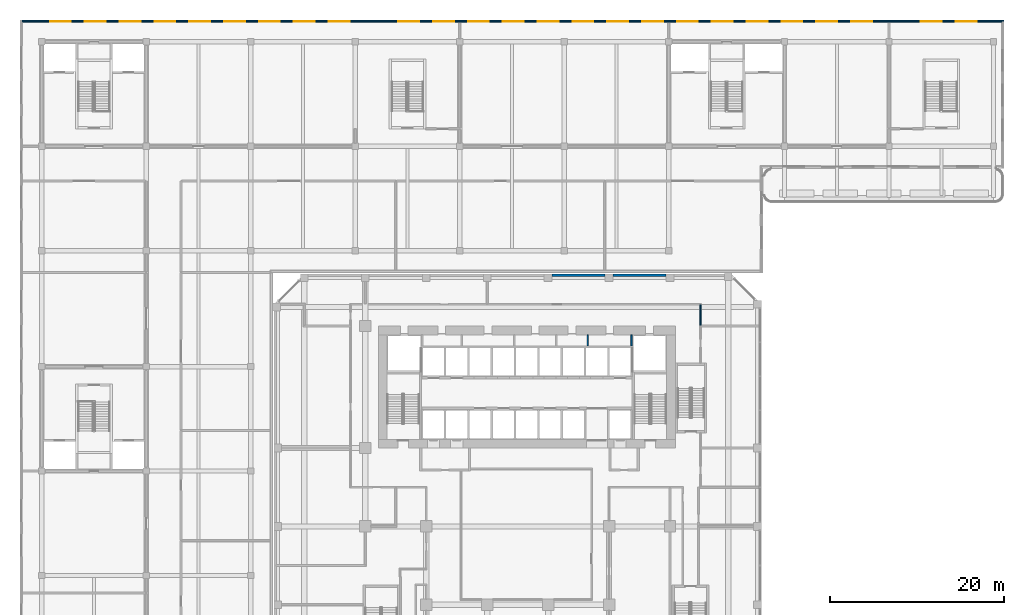
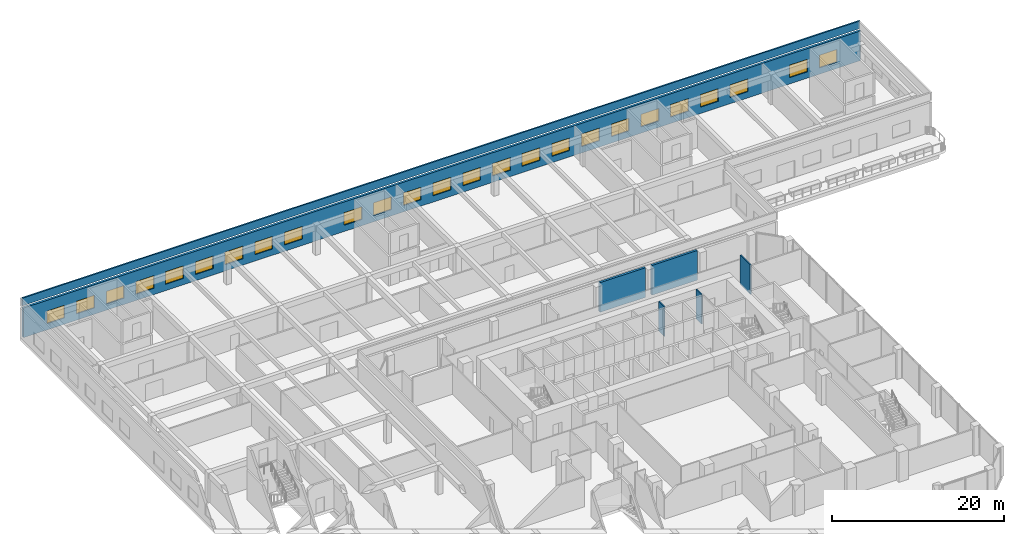
# One storey, part 23 of 35: 25 windows, 7 walls, 25 openings.
"""IFC4 building model written with IfcOpenShell, lengths in metres."""

from ifc_helpers import new_model, si_unit, direction, frame, frame_2d, origin, place, context, subcontext, project, spatial, rectangle, extrude, source, transform, mapped, material, layer, layer_set, type_object, element, fill, save


model = new_model("IFC4")

# Units and contexts
model_context = context("Model", 3, precision=1e-05, world=origin(), true_north=direction((0.0, 1.0)))
body_context = subcontext(model_context, "Body", "Model", "MODEL_VIEW")
ifc_project = project(units=[si_unit("LENGTHUNIT", "METRE"), si_unit("AREAUNIT", "SQUARE_METRE"), si_unit("VOLUMEUNIT", "CUBIC_METRE"), si_unit("PLANEANGLEUNIT", "RADIAN"), si_unit("MASSUNIT", "GRAM", prefix="KILO")], contexts=[model_context])

# Site, building, storey
site_placement = place(None, origin())
site = spatial("IfcSite", under=ifc_project, at=site_placement, CompositionType="ELEMENT")
building_placement = place(site_placement, origin())
building = spatial("IfcBuilding", under=site, at=building_placement, Name="Kilnfold Tower and Market Hall", CompositionType="ELEMENT")
storey_placement = place(building_placement, frame((0.0, 0.0, 22.5)))
storey = spatial("IfcBuildingStorey", under=building, at=storey_placement, Name="L04", CompositionType="ELEMENT", Elevation=22.5)

# Walls
ifc_material_1 = material(Name="Gypsum board on steel studs", Category="steel")
ifc_layer_1 = layer(ifc_material_1, 0.14990234375)
ifc_layer_set_1 = layer_set([ifc_layer_1], Name="Gypsum board on steel studs")
wall_type_1 = type_object("IfcWallType", Name="WALL CORRIDOR 150", PredefinedType="PARTITIONING", material=ifc_layer_set_1)
wall_1_placement = place(storey_placement, frame((21.0, 22.090087890625, 0.0), z_axis=(0.0, 0.0, 1.0), x_axis=(0.0, 1.0, 0.0)))
element("IfcWall", 1, at=wall_1_placement, inside=storey, type_object=wall_type_1, Name="Partition LY05.28", PredefinedType="PARTITIONING", context=body_context, shape_type="SweptSolid", body=[
    extrude(rectangle(XDim=2.3349609375, YDim=0.14990234375, at=frame_2d((1.16748046875, 0.0))), origin(), (0.0, 0.0, 1.0), 4.219970703125),
])
ifc_material_2 = material(Name="Precast concrete C50/60", Category="concrete")
ifc_layer_2 = layer(ifc_material_2, 0.300048828125)
ifc_layer_set_2 = layer_set([ifc_layer_2], Name="Precast concrete C50/60")
wall_type_2 = type_object("IfcWallType", Name="PRECAST WALL 300", PredefinedType="SOLIDWALL", material=ifc_layer_set_2)
shared_shape_1 = source(origin(), body_context, "Body", "SweptSolid", [
    extrude(rectangle(XDim=6.10009765625, YDim=0.300048828125, at=frame_2d((3.050048828125, 0.0))), origin(), (0.0, 0.0, 1.0), 4.219970703125),
])
for number, where, z_axis, x_axis, name in (
    (2, (17.050048828125, 27.85009765625, 0.0), (0.0, 0.0, 1.0), (-1.0, 0.0, 0.0), "Party wall L04 N"),
    (3, (10.050048828125, 27.85009765625, 0.0), (0.0, 0.0, 1.0), (-1.0, 0.0, 0.0), "Party wall L04 N"),
):
    element("IfcWall", number, at=place(storey_placement, frame(where, z_axis=z_axis, x_axis=x_axis)), inside=storey, type_object=wall_type_2, Name=name, PredefinedType="SOLIDWALL", context=body_context, shape_type="MappedRepresentation", body=[
        mapped(shared_shape_1, transform((0.0, 0.0, 0.0))),
    ])

# Wall, openings, windows
ifc_material_3 = material(Name="Concrete blockwork", Category="masonry")
ifc_layer_3 = layer(ifc_material_3, 0.300048828125)
ifc_layer_set_3 = layer_set([ifc_layer_3], Name="Concrete blockwork")
wall_type_3 = type_object("IfcWallType", Name="HALL EXTERNAL WALL 300 EI 60", PredefinedType="SOLIDWALL", material=ifc_layer_set_3)
shared_shape_2 = source(origin(), body_context, "Body", "SweptSolid", [
    extrude(rectangle(XDim=112.7001953125, YDim=0.300048828125, at=frame_2d((56.35009765625, 0.0))), origin(), (0.0, 0.0, 1.0), 4.219970703125),
])
wall_2_placement = place(storey_placement, frame((-56.85009765625, 57.0, 0.0), z_axis=(0.0, 0.0, 1.0), x_axis=(1.0, 0.0, 0.0)))
wall_2 = element("IfcWall", 4, at=wall_2_placement, inside=storey, type_object=wall_type_3, Name="External wall MEW-L04.2", PredefinedType="SOLIDWALL", context=body_context, shape_type="MappedRepresentation", body=[
    mapped(shared_shape_2, transform((0.0, 0.0, 0.0))),
])
opening_1_placement = place(wall_2_placement, frame((3.14990234375, 0.0, 0.89990234375)))
opening_1 = element("IfcOpeningElement", 5, at=opening_1_placement, cuts=wall_2, Name="Opening MEN3", PredefinedType="OPENING", context=body_context, shape_type="SweptSolid", body=[
    extrude(rectangle(XDim=2.39990234375, YDim=1.800048828125, at=frame_2d((1.199951171875, 0.89990234375))), frame((0.0, 0.16015625, 0.0), z_axis=(0.0, -1.0, 0.0), x_axis=(1.0, 0.0, 0.0)), (0.0, 0.0, 1.0), 0.320068359375),
])
opening_2_placement = place(wall_2_placement, frame((7.14990234375, 0.0, 0.89990234375)))
opening_2 = element("IfcOpeningElement", 6, at=opening_2_placement, cuts=wall_2, Name="Opening MEN3", PredefinedType="OPENING", context=body_context, shape_type="SweptSolid", body=[
    extrude(rectangle(XDim=2.39990234375, YDim=1.800048828125, at=frame_2d((1.199951171875, 0.89990234375))), frame((0.0, 0.16015625, 0.0), z_axis=(0.0, -1.0, 0.0), x_axis=(1.0, 0.0, 0.0)), (0.0, 0.0, 1.0), 0.320068359375),
])
opening_3_placement = place(wall_2_placement, frame((11.14990234375, 0.0, 0.89990234375)))
opening_3 = element("IfcOpeningElement", 7, at=opening_3_placement, cuts=wall_2, Name="Opening MEN3", PredefinedType="OPENING", context=body_context, shape_type="SweptSolid", body=[
    extrude(rectangle(XDim=2.39990234375, YDim=1.800048828125, at=frame_2d((1.199951171875, 0.89990234375))), frame((0.0, 0.16015625, 0.0), z_axis=(0.0, -1.0, 0.0), x_axis=(1.0, 0.0, 0.0)), (0.0, 0.0, 1.0), 0.320068359375),
])
opening_4_placement = place(wall_2_placement, frame((15.14990234375, 0.0, 0.89990234375)))
opening_4 = element("IfcOpeningElement", 8, at=opening_4_placement, cuts=wall_2, Name="Opening MEN3", PredefinedType="OPENING", context=body_context, shape_type="SweptSolid", body=[
    extrude(rectangle(XDim=2.39990234375, YDim=1.800048828125, at=frame_2d((1.199951171875, 0.89990234375))), frame((0.0, 0.16015625, 0.0), z_axis=(0.0, -1.0, 0.0), x_axis=(1.0, 0.0, 0.0)), (0.0, 0.0, 1.0), 0.320068359375),
])
opening_5_placement = place(wall_2_placement, frame((19.14990234375, 0.0, 0.89990234375)))
opening_5 = element("IfcOpeningElement", 9, at=opening_5_placement, cuts=wall_2, Name="Opening MEN3", PredefinedType="OPENING", context=body_context, shape_type="SweptSolid", body=[
    extrude(rectangle(XDim=2.39990234375, YDim=1.800048828125, at=frame_2d((1.199951171875, 0.89990234375))), frame((0.0, 0.16015625, 0.0), z_axis=(0.0, -1.0, 0.0), x_axis=(1.0, 0.0, 0.0)), (0.0, 0.0, 1.0), 0.320068359375),
])
opening_6_placement = place(wall_2_placement, frame((23.14990234375, 0.0, 0.89990234375)))
opening_6 = element("IfcOpeningElement", 10, at=opening_6_placement, cuts=wall_2, Name="Opening MEN3", PredefinedType="OPENING", context=body_context, shape_type="SweptSolid", body=[
    extrude(rectangle(XDim=2.39990234375, YDim=1.800048828125, at=frame_2d((1.199951171875, 0.89990234375))), frame((0.0, 0.16015625, 0.0), z_axis=(0.0, -1.0, 0.0), x_axis=(1.0, 0.0, 0.0)), (0.0, 0.0, 1.0), 0.320068359375),
])
opening_7_placement = place(wall_2_placement, frame((27.14990234375, 0.0, 0.89990234375)))
opening_7 = element("IfcOpeningElement", 11, at=opening_7_placement, cuts=wall_2, Name="Opening MEN3", PredefinedType="OPENING", context=body_context, shape_type="SweptSolid", body=[
    extrude(rectangle(XDim=2.39990234375, YDim=1.800048828125, at=frame_2d((1.199951171875, 0.89990234375))), frame((0.0, 0.16015625, 0.0), z_axis=(0.0, -1.0, 0.0), x_axis=(1.0, 0.0, 0.0)), (0.0, 0.0, 1.0), 0.320068359375),
])
opening_8_placement = place(wall_2_placement, frame((31.14990234375, 0.0, 0.89990234375)))
opening_8 = element("IfcOpeningElement", 12, at=opening_8_placement, cuts=wall_2, Name="Opening MEN3", PredefinedType="OPENING", context=body_context, shape_type="SweptSolid", body=[
    extrude(rectangle(XDim=2.39990234375, YDim=1.800048828125, at=frame_2d((1.199951171875, 0.89990234375))), frame((0.0, 0.16015625, 0.0), z_axis=(0.0, -1.0, 0.0), x_axis=(1.0, 0.0, 0.0)), (0.0, 0.0, 1.0), 0.320068359375),
])
opening_9_placement = place(wall_2_placement, frame((35.14990234375, 0.0, 0.89990234375)))
opening_9 = element("IfcOpeningElement", 13, at=opening_9_placement, cuts=wall_2, Name="Opening MEN3", PredefinedType="OPENING", context=body_context, shape_type="SweptSolid", body=[
    extrude(rectangle(XDim=2.39990234375, YDim=1.800048828125, at=frame_2d((1.199951171875, 0.89990234375))), frame((0.0, 0.16015625, 0.0), z_axis=(0.0, -1.0, 0.0), x_axis=(1.0, 0.0, 0.0)), (0.0, 0.0, 1.0), 0.320068359375),
])
opening_10_placement = place(wall_2_placement, frame((43.14990234375, 0.0, 0.89990234375)))
opening_10 = element("IfcOpeningElement", 14, at=opening_10_placement, cuts=wall_2, Name="Opening MEN3", PredefinedType="OPENING", context=body_context, shape_type="SweptSolid", body=[
    extrude(rectangle(XDim=2.39990234375, YDim=1.800048828125, at=frame_2d((1.199951171875, 0.89990234375))), frame((0.0, 0.16015625, 0.0), z_axis=(0.0, -1.0, 0.0), x_axis=(1.0, 0.0, 0.0)), (0.0, 0.0, 1.0), 0.320068359375),
])
opening_11_placement = place(wall_2_placement, frame((47.14990234375, 0.0, 0.89990234375)))
opening_11 = element("IfcOpeningElement", 15, at=opening_11_placement, cuts=wall_2, Name="Opening MEN3", PredefinedType="OPENING", context=body_context, shape_type="SweptSolid", body=[
    extrude(rectangle(XDim=2.39990234375, YDim=1.800048828125, at=frame_2d((1.199951171875, 0.89990234375))), frame((0.0, 0.16015625, 0.0), z_axis=(0.0, -1.0, 0.0), x_axis=(1.0, 0.0, 0.0)), (0.0, 0.0, 1.0), 0.320068359375),
])
opening_12_placement = place(wall_2_placement, frame((51.14990234375, 0.0, 0.89990234375)))
opening_12 = element("IfcOpeningElement", 16, at=opening_12_placement, cuts=wall_2, Name="Opening MEN3", PredefinedType="OPENING", context=body_context, shape_type="SweptSolid", body=[
    extrude(rectangle(XDim=2.39990234375, YDim=1.800048828125, at=frame_2d((1.199951171875, 0.89990234375))), frame((0.0, 0.16015625, 0.0), z_axis=(0.0, -1.0, 0.0), x_axis=(1.0, 0.0, 0.0)), (0.0, 0.0, 1.0), 0.320068359375),
])
opening_13_placement = place(wall_2_placement, frame((55.14990234375, 0.0, 0.89990234375)))
opening_13 = element("IfcOpeningElement", 17, at=opening_13_placement, cuts=wall_2, Name="Opening MEN3", PredefinedType="OPENING", context=body_context, shape_type="SweptSolid", body=[
    extrude(rectangle(XDim=2.39990234375, YDim=1.800048828125, at=frame_2d((1.199951171875, 0.89990234375))), frame((0.0, 0.16015625, 0.0), z_axis=(0.0, -1.0, 0.0), x_axis=(1.0, 0.0, 0.0)), (0.0, 0.0, 1.0), 0.320068359375),
])
opening_14_placement = place(wall_2_placement, frame((59.14990234375, 0.0, 0.89990234375)))
opening_14 = element("IfcOpeningElement", 18, at=opening_14_placement, cuts=wall_2, Name="Opening MEN3", PredefinedType="OPENING", context=body_context, shape_type="SweptSolid", body=[
    extrude(rectangle(XDim=2.39990234375, YDim=1.800048828125, at=frame_2d((1.199951171875, 0.89990234375))), frame((0.0, 0.16015625, 0.0), z_axis=(0.0, -1.0, 0.0), x_axis=(1.0, 0.0, 0.0)), (0.0, 0.0, 1.0), 0.320068359375),
])
opening_15_placement = place(wall_2_placement, frame((63.14990234375, 0.0, 0.89990234375)))
opening_15 = element("IfcOpeningElement", 19, at=opening_15_placement, cuts=wall_2, Name="Opening MEN3", PredefinedType="OPENING", context=body_context, shape_type="SweptSolid", body=[
    extrude(rectangle(XDim=2.39990234375, YDim=1.800048828125, at=frame_2d((1.199951171875, 0.89990234375))), frame((0.0, 0.16015625, 0.0), z_axis=(0.0, -1.0, 0.0), x_axis=(1.0, 0.0, 0.0)), (0.0, 0.0, 1.0), 0.320068359375),
])
opening_16_placement = place(wall_2_placement, frame((67.14990234375, 0.0, 0.89990234375)))
opening_16 = element("IfcOpeningElement", 20, at=opening_16_placement, cuts=wall_2, Name="Opening MEN3", PredefinedType="OPENING", context=body_context, shape_type="SweptSolid", body=[
    extrude(rectangle(XDim=2.39990234375, YDim=1.800048828125, at=frame_2d((1.199951171875, 0.89990234375))), frame((0.0, 0.16015625, 0.0), z_axis=(0.0, -1.0, 0.0), x_axis=(1.0, 0.0, 0.0)), (0.0, 0.0, 1.0), 0.320068359375),
])
opening_17_placement = place(wall_2_placement, frame((71.14990234375, 0.0, 0.89990234375)))
opening_17 = element("IfcOpeningElement", 21, at=opening_17_placement, cuts=wall_2, Name="Opening MEN3", PredefinedType="OPENING", context=body_context, shape_type="SweptSolid", body=[
    extrude(rectangle(XDim=2.39990234375, YDim=1.800048828125, at=frame_2d((1.199951171875, 0.89990234375))), frame((0.0, 0.16015625, 0.0), z_axis=(0.0, -1.0, 0.0), x_axis=(1.0, 0.0, 0.0)), (0.0, 0.0, 1.0), 0.320068359375),
])
opening_18_placement = place(wall_2_placement, frame((75.14990234375, 0.0, 0.89990234375)))
opening_18 = element("IfcOpeningElement", 22, at=opening_18_placement, cuts=wall_2, Name="Opening MEN3", PredefinedType="OPENING", context=body_context, shape_type="SweptSolid", body=[
    extrude(rectangle(XDim=2.39990234375, YDim=1.800048828125, at=frame_2d((1.199951171875, 0.89990234375))), frame((0.0, 0.16015625, 0.0), z_axis=(0.0, -1.0, 0.0), x_axis=(1.0, 0.0, 0.0)), (0.0, 0.0, 1.0), 0.320068359375),
])
opening_19_placement = place(wall_2_placement, frame((79.14990234375, 0.0, 0.89990234375)))
opening_19 = element("IfcOpeningElement", 23, at=opening_19_placement, cuts=wall_2, Name="Opening MEN3", PredefinedType="OPENING", context=body_context, shape_type="SweptSolid", body=[
    extrude(rectangle(XDim=2.39990234375, YDim=1.800048828125, at=frame_2d((1.199951171875, 0.89990234375))), frame((0.0, 0.16015625, 0.0), z_axis=(0.0, -1.0, 0.0), x_axis=(1.0, 0.0, 0.0)), (0.0, 0.0, 1.0), 0.320068359375),
])
opening_20_placement = place(wall_2_placement, frame((83.14990234375, 0.0, 0.89990234375)))
opening_20 = element("IfcOpeningElement", 24, at=opening_20_placement, cuts=wall_2, Name="Opening MEN3", PredefinedType="OPENING", context=body_context, shape_type="SweptSolid", body=[
    extrude(rectangle(XDim=2.39990234375, YDim=1.800048828125, at=frame_2d((1.199951171875, 0.89990234375))), frame((0.0, 0.16015625, 0.0), z_axis=(0.0, -1.0, 0.0), x_axis=(1.0, 0.0, 0.0)), (0.0, 0.0, 1.0), 0.320068359375),
])
opening_21_placement = place(wall_2_placement, frame((87.14990234375, 0.0, 0.89990234375)))
opening_21 = element("IfcOpeningElement", 25, at=opening_21_placement, cuts=wall_2, Name="Opening MEN3", PredefinedType="OPENING", context=body_context, shape_type="SweptSolid", body=[
    extrude(rectangle(XDim=2.39990234375, YDim=1.800048828125, at=frame_2d((1.199951171875, 0.89990234375))), frame((0.0, 0.16015625, 0.0), z_axis=(0.0, -1.0, 0.0), x_axis=(1.0, 0.0, 0.0)), (0.0, 0.0, 1.0), 0.320068359375),
])
opening_22_placement = place(wall_2_placement, frame((91.14990234375, 0.0, 0.89990234375)))
opening_22 = element("IfcOpeningElement", 26, at=opening_22_placement, cuts=wall_2, Name="Opening MEN3", PredefinedType="OPENING", context=body_context, shape_type="SweptSolid", body=[
    extrude(rectangle(XDim=2.39990234375, YDim=1.800048828125, at=frame_2d((1.199951171875, 0.89990234375))), frame((0.0, 0.16015625, 0.0), z_axis=(0.0, -1.0, 0.0), x_axis=(1.0, 0.0, 0.0)), (0.0, 0.0, 1.0), 0.320068359375),
])
opening_23_placement = place(wall_2_placement, frame((95.14990234375, 0.0, 0.89990234375)))
opening_23 = element("IfcOpeningElement", 27, at=opening_23_placement, cuts=wall_2, Name="Opening MEN3", PredefinedType="OPENING", context=body_context, shape_type="SweptSolid", body=[
    extrude(rectangle(XDim=2.39990234375, YDim=1.800048828125, at=frame_2d((1.199951171875, 0.89990234375))), frame((0.0, 0.16015625, 0.0), z_axis=(0.0, -1.0, 0.0), x_axis=(1.0, 0.0, 0.0)), (0.0, 0.0, 1.0), 0.320068359375),
])
opening_24_placement = place(wall_2_placement, frame((103.14990234375, 0.0, 0.89990234375)))
opening_24 = element("IfcOpeningElement", 28, at=opening_24_placement, cuts=wall_2, Name="Opening MEN3", PredefinedType="OPENING", context=body_context, shape_type="SweptSolid", body=[
    extrude(rectangle(XDim=2.39990234375, YDim=1.800048828125, at=frame_2d((1.199951171875, 0.89990234375))), frame((0.0, 0.16015625, 0.0), z_axis=(0.0, -1.0, 0.0), x_axis=(1.0, 0.0, 0.0)), (0.0, 0.0, 1.0), 0.320068359375),
])
opening_25_placement = place(wall_2_placement, frame((107.14990234375, 0.0, 0.89990234375)))
opening_25 = element("IfcOpeningElement", 29, at=opening_25_placement, cuts=wall_2, Name="Opening MEN3", PredefinedType="OPENING", context=body_context, shape_type="SweptSolid", body=[
    extrude(rectangle(XDim=2.39990234375, YDim=1.800048828125, at=frame_2d((1.199951171875, 0.89990234375))), frame((0.0, 0.16015625, 0.0), z_axis=(0.0, -1.0, 0.0), x_axis=(1.0, 0.0, 0.0)), (0.0, 0.0, 1.0), 0.320068359375),
])
ifc_material_4 = material(Name="Aluminium glazing", Category="aluminium")
window_type = type_object("IfcWindowType", Name="HALL WINDOW 2400X1800", PartitioningType="SINGLE_PANEL", PredefinedType="WINDOW", material=ifc_material_4)
window_1_placement = place(opening_1_placement, origin())
window_1 = element("IfcWindow", 30, at=window_1_placement, inside=storey, type_object=window_type, Name="Window upper", OverallHeight=1.800048828125, OverallWidth=2.39990234375, PartitioningType="SINGLE_PANEL", PredefinedType="WINDOW", context=body_context, shape_type="SweptSolid", body=[
    extrude(rectangle(XDim=2.39990234375, YDim=1.800048828125, at=frame_2d((1.199951171875, 0.89990234375))), frame((0.0, 0.030029296875, 0.0), z_axis=(0.0, -1.0, 0.0), x_axis=(1.0, 0.0, 0.0)), (0.0, 0.0, 1.0), 0.06005859375),
])
fill(opening_1, window_1)
window_2_placement = place(opening_2_placement, origin())
window_2 = element("IfcWindow", 31, at=window_2_placement, inside=storey, type_object=window_type, Name="Window upper", OverallHeight=1.800048828125, OverallWidth=2.39990234375, PartitioningType="SINGLE_PANEL", PredefinedType="WINDOW", context=body_context, shape_type="SweptSolid", body=[
    extrude(rectangle(XDim=2.39990234375, YDim=1.800048828125, at=frame_2d((1.199951171875, 0.89990234375))), frame((0.0, 0.030029296875, 0.0), z_axis=(0.0, -1.0, 0.0), x_axis=(1.0, 0.0, 0.0)), (0.0, 0.0, 1.0), 0.06005859375),
])
fill(opening_2, window_2)
window_3_placement = place(opening_3_placement, origin())
window_3 = element("IfcWindow", 32, at=window_3_placement, inside=storey, type_object=window_type, Name="Window upper", OverallHeight=1.800048828125, OverallWidth=2.39990234375, PartitioningType="SINGLE_PANEL", PredefinedType="WINDOW", context=body_context, shape_type="SweptSolid", body=[
    extrude(rectangle(XDim=2.39990234375, YDim=1.800048828125, at=frame_2d((1.199951171875, 0.89990234375))), frame((0.0, 0.030029296875, 0.0), z_axis=(0.0, -1.0, 0.0), x_axis=(1.0, 0.0, 0.0)), (0.0, 0.0, 1.0), 0.06005859375),
])
fill(opening_3, window_3)
window_4_placement = place(opening_4_placement, origin())
window_4 = element("IfcWindow", 33, at=window_4_placement, inside=storey, type_object=window_type, Name="Window upper", OverallHeight=1.800048828125, OverallWidth=2.39990234375, PartitioningType="SINGLE_PANEL", PredefinedType="WINDOW", context=body_context, shape_type="SweptSolid", body=[
    extrude(rectangle(XDim=2.39990234375, YDim=1.800048828125, at=frame_2d((1.199951171875, 0.89990234375))), frame((0.0, 0.030029296875, 0.0), z_axis=(0.0, -1.0, 0.0), x_axis=(1.0, 0.0, 0.0)), (0.0, 0.0, 1.0), 0.06005859375),
])
fill(opening_4, window_4)
window_5_placement = place(opening_5_placement, origin())
window_5 = element("IfcWindow", 34, at=window_5_placement, inside=storey, type_object=window_type, Name="Window upper", OverallHeight=1.800048828125, OverallWidth=2.39990234375, PartitioningType="SINGLE_PANEL", PredefinedType="WINDOW", context=body_context, shape_type="SweptSolid", body=[
    extrude(rectangle(XDim=2.39990234375, YDim=1.800048828125, at=frame_2d((1.199951171875, 0.89990234375))), frame((0.0, 0.030029296875, 0.0), z_axis=(0.0, -1.0, 0.0), x_axis=(1.0, 0.0, 0.0)), (0.0, 0.0, 1.0), 0.06005859375),
])
fill(opening_5, window_5)
window_6_placement = place(opening_6_placement, origin())
window_6 = element("IfcWindow", 35, at=window_6_placement, inside=storey, type_object=window_type, Name="Window upper", OverallHeight=1.800048828125, OverallWidth=2.39990234375, PartitioningType="SINGLE_PANEL", PredefinedType="WINDOW", context=body_context, shape_type="SweptSolid", body=[
    extrude(rectangle(XDim=2.39990234375, YDim=1.800048828125, at=frame_2d((1.199951171875, 0.89990234375))), frame((0.0, 0.030029296875, 0.0), z_axis=(0.0, -1.0, 0.0), x_axis=(1.0, 0.0, 0.0)), (0.0, 0.0, 1.0), 0.06005859375),
])
fill(opening_6, window_6)
window_7_placement = place(opening_7_placement, origin())
window_7 = element("IfcWindow", 36, at=window_7_placement, inside=storey, type_object=window_type, Name="Window upper", OverallHeight=1.800048828125, OverallWidth=2.39990234375, PartitioningType="SINGLE_PANEL", PredefinedType="WINDOW", context=body_context, shape_type="SweptSolid", body=[
    extrude(rectangle(XDim=2.39990234375, YDim=1.800048828125, at=frame_2d((1.199951171875, 0.89990234375))), frame((0.0, 0.030029296875, 0.0), z_axis=(0.0, -1.0, 0.0), x_axis=(1.0, 0.0, 0.0)), (0.0, 0.0, 1.0), 0.06005859375),
])
fill(opening_7, window_7)
window_8_placement = place(opening_8_placement, origin())
window_8 = element("IfcWindow", 37, at=window_8_placement, inside=storey, type_object=window_type, Name="Window upper", OverallHeight=1.800048828125, OverallWidth=2.39990234375, PartitioningType="SINGLE_PANEL", PredefinedType="WINDOW", context=body_context, shape_type="SweptSolid", body=[
    extrude(rectangle(XDim=2.39990234375, YDim=1.800048828125, at=frame_2d((1.199951171875, 0.89990234375))), frame((0.0, 0.030029296875, 0.0), z_axis=(0.0, -1.0, 0.0), x_axis=(1.0, 0.0, 0.0)), (0.0, 0.0, 1.0), 0.06005859375),
])
fill(opening_8, window_8)
window_9_placement = place(opening_9_placement, origin())
window_9 = element("IfcWindow", 38, at=window_9_placement, inside=storey, type_object=window_type, Name="Window upper", OverallHeight=1.800048828125, OverallWidth=2.39990234375, PartitioningType="SINGLE_PANEL", PredefinedType="WINDOW", context=body_context, shape_type="SweptSolid", body=[
    extrude(rectangle(XDim=2.39990234375, YDim=1.800048828125, at=frame_2d((1.199951171875, 0.89990234375))), frame((0.0, 0.030029296875, 0.0), z_axis=(0.0, -1.0, 0.0), x_axis=(1.0, 0.0, 0.0)), (0.0, 0.0, 1.0), 0.06005859375),
])
fill(opening_9, window_9)
window_10_placement = place(opening_10_placement, origin())
window_10 = element("IfcWindow", 39, at=window_10_placement, inside=storey, type_object=window_type, Name="Window upper", OverallHeight=1.800048828125, OverallWidth=2.39990234375, PartitioningType="SINGLE_PANEL", PredefinedType="WINDOW", context=body_context, shape_type="SweptSolid", body=[
    extrude(rectangle(XDim=2.39990234375, YDim=1.800048828125, at=frame_2d((1.199951171875, 0.89990234375))), frame((0.0, 0.030029296875, 0.0), z_axis=(0.0, -1.0, 0.0), x_axis=(1.0, 0.0, 0.0)), (0.0, 0.0, 1.0), 0.06005859375),
])
fill(opening_10, window_10)
window_11_placement = place(opening_11_placement, origin())
window_11 = element("IfcWindow", 40, at=window_11_placement, inside=storey, type_object=window_type, Name="Window upper", OverallHeight=1.800048828125, OverallWidth=2.39990234375, PartitioningType="SINGLE_PANEL", PredefinedType="WINDOW", context=body_context, shape_type="SweptSolid", body=[
    extrude(rectangle(XDim=2.39990234375, YDim=1.800048828125, at=frame_2d((1.199951171875, 0.89990234375))), frame((0.0, 0.030029296875, 0.0), z_axis=(0.0, -1.0, 0.0), x_axis=(1.0, 0.0, 0.0)), (0.0, 0.0, 1.0), 0.06005859375),
])
fill(opening_11, window_11)
window_12_placement = place(opening_12_placement, origin())
window_12 = element("IfcWindow", 41, at=window_12_placement, inside=storey, type_object=window_type, Name="Window upper", OverallHeight=1.800048828125, OverallWidth=2.39990234375, PartitioningType="SINGLE_PANEL", PredefinedType="WINDOW", context=body_context, shape_type="SweptSolid", body=[
    extrude(rectangle(XDim=2.39990234375, YDim=1.800048828125, at=frame_2d((1.199951171875, 0.89990234375))), frame((0.0, 0.030029296875, 0.0), z_axis=(0.0, -1.0, 0.0), x_axis=(1.0, 0.0, 0.0)), (0.0, 0.0, 1.0), 0.06005859375),
])
fill(opening_12, window_12)
window_13_placement = place(opening_13_placement, origin())
window_13 = element("IfcWindow", 42, at=window_13_placement, inside=storey, type_object=window_type, Name="Window upper", OverallHeight=1.800048828125, OverallWidth=2.39990234375, PartitioningType="SINGLE_PANEL", PredefinedType="WINDOW", context=body_context, shape_type="SweptSolid", body=[
    extrude(rectangle(XDim=2.39990234375, YDim=1.800048828125, at=frame_2d((1.199951171875, 0.89990234375))), frame((0.0, 0.030029296875, 0.0), z_axis=(0.0, -1.0, 0.0), x_axis=(1.0, 0.0, 0.0)), (0.0, 0.0, 1.0), 0.06005859375),
])
fill(opening_13, window_13)
window_14_placement = place(opening_14_placement, origin())
window_14 = element("IfcWindow", 43, at=window_14_placement, inside=storey, type_object=window_type, Name="Window upper", OverallHeight=1.800048828125, OverallWidth=2.39990234375, PartitioningType="SINGLE_PANEL", PredefinedType="WINDOW", context=body_context, shape_type="SweptSolid", body=[
    extrude(rectangle(XDim=2.39990234375, YDim=1.800048828125, at=frame_2d((1.199951171875, 0.89990234375))), frame((0.0, 0.030029296875, 0.0), z_axis=(0.0, -1.0, 0.0), x_axis=(1.0, 0.0, 0.0)), (0.0, 0.0, 1.0), 0.06005859375),
])
fill(opening_14, window_14)
window_15_placement = place(opening_15_placement, origin())
window_15 = element("IfcWindow", 44, at=window_15_placement, inside=storey, type_object=window_type, Name="Window upper", OverallHeight=1.800048828125, OverallWidth=2.39990234375, PartitioningType="SINGLE_PANEL", PredefinedType="WINDOW", context=body_context, shape_type="SweptSolid", body=[
    extrude(rectangle(XDim=2.39990234375, YDim=1.800048828125, at=frame_2d((1.199951171875, 0.89990234375))), frame((0.0, 0.030029296875, 0.0), z_axis=(0.0, -1.0, 0.0), x_axis=(1.0, 0.0, 0.0)), (0.0, 0.0, 1.0), 0.06005859375),
])
fill(opening_15, window_15)
window_16_placement = place(opening_16_placement, origin())
window_16 = element("IfcWindow", 45, at=window_16_placement, inside=storey, type_object=window_type, Name="Window upper", OverallHeight=1.800048828125, OverallWidth=2.39990234375, PartitioningType="SINGLE_PANEL", PredefinedType="WINDOW", context=body_context, shape_type="SweptSolid", body=[
    extrude(rectangle(XDim=2.39990234375, YDim=1.800048828125, at=frame_2d((1.199951171875, 0.89990234375))), frame((0.0, 0.030029296875, 0.0), z_axis=(0.0, -1.0, 0.0), x_axis=(1.0, 0.0, 0.0)), (0.0, 0.0, 1.0), 0.06005859375),
])
fill(opening_16, window_16)
window_17_placement = place(opening_17_placement, origin())
window_17 = element("IfcWindow", 46, at=window_17_placement, inside=storey, type_object=window_type, Name="Window upper", OverallHeight=1.800048828125, OverallWidth=2.39990234375, PartitioningType="SINGLE_PANEL", PredefinedType="WINDOW", context=body_context, shape_type="SweptSolid", body=[
    extrude(rectangle(XDim=2.39990234375, YDim=1.800048828125, at=frame_2d((1.199951171875, 0.89990234375))), frame((0.0, 0.030029296875, 0.0), z_axis=(0.0, -1.0, 0.0), x_axis=(1.0, 0.0, 0.0)), (0.0, 0.0, 1.0), 0.06005859375),
])
fill(opening_17, window_17)
window_18_placement = place(opening_18_placement, origin())
window_18 = element("IfcWindow", 47, at=window_18_placement, inside=storey, type_object=window_type, Name="Window upper", OverallHeight=1.800048828125, OverallWidth=2.39990234375, PartitioningType="SINGLE_PANEL", PredefinedType="WINDOW", context=body_context, shape_type="SweptSolid", body=[
    extrude(rectangle(XDim=2.39990234375, YDim=1.800048828125, at=frame_2d((1.199951171875, 0.89990234375))), frame((0.0, 0.030029296875, 0.0), z_axis=(0.0, -1.0, 0.0), x_axis=(1.0, 0.0, 0.0)), (0.0, 0.0, 1.0), 0.06005859375),
])
fill(opening_18, window_18)
window_19_placement = place(opening_19_placement, origin())
window_19 = element("IfcWindow", 48, at=window_19_placement, inside=storey, type_object=window_type, Name="Window upper", OverallHeight=1.800048828125, OverallWidth=2.39990234375, PartitioningType="SINGLE_PANEL", PredefinedType="WINDOW", context=body_context, shape_type="SweptSolid", body=[
    extrude(rectangle(XDim=2.39990234375, YDim=1.800048828125, at=frame_2d((1.199951171875, 0.89990234375))), frame((0.0, 0.030029296875, 0.0), z_axis=(0.0, -1.0, 0.0), x_axis=(1.0, 0.0, 0.0)), (0.0, 0.0, 1.0), 0.06005859375),
])
fill(opening_19, window_19)
window_20_placement = place(opening_20_placement, origin())
window_20 = element("IfcWindow", 49, at=window_20_placement, inside=storey, type_object=window_type, Name="Window upper", OverallHeight=1.800048828125, OverallWidth=2.39990234375, PartitioningType="SINGLE_PANEL", PredefinedType="WINDOW", context=body_context, shape_type="SweptSolid", body=[
    extrude(rectangle(XDim=2.39990234375, YDim=1.800048828125, at=frame_2d((1.199951171875, 0.89990234375))), frame((0.0, 0.030029296875, 0.0), z_axis=(0.0, -1.0, 0.0), x_axis=(1.0, 0.0, 0.0)), (0.0, 0.0, 1.0), 0.06005859375),
])
fill(opening_20, window_20)
window_21_placement = place(opening_21_placement, origin())
window_21 = element("IfcWindow", 50, at=window_21_placement, inside=storey, type_object=window_type, Name="Window upper", OverallHeight=1.800048828125, OverallWidth=2.39990234375, PartitioningType="SINGLE_PANEL", PredefinedType="WINDOW", context=body_context, shape_type="SweptSolid", body=[
    extrude(rectangle(XDim=2.39990234375, YDim=1.800048828125, at=frame_2d((1.199951171875, 0.89990234375))), frame((0.0, 0.030029296875, 0.0), z_axis=(0.0, -1.0, 0.0), x_axis=(1.0, 0.0, 0.0)), (0.0, 0.0, 1.0), 0.06005859375),
])
fill(opening_21, window_21)
window_22_placement = place(opening_22_placement, origin())
window_22 = element("IfcWindow", 51, at=window_22_placement, inside=storey, type_object=window_type, Name="Window upper", OverallHeight=1.800048828125, OverallWidth=2.39990234375, PartitioningType="SINGLE_PANEL", PredefinedType="WINDOW", context=body_context, shape_type="SweptSolid", body=[
    extrude(rectangle(XDim=2.39990234375, YDim=1.800048828125, at=frame_2d((1.199951171875, 0.89990234375))), frame((0.0, 0.030029296875, 0.0), z_axis=(0.0, -1.0, 0.0), x_axis=(1.0, 0.0, 0.0)), (0.0, 0.0, 1.0), 0.06005859375),
])
fill(opening_22, window_22)
window_23_placement = place(opening_23_placement, origin())
window_23 = element("IfcWindow", 52, at=window_23_placement, inside=storey, type_object=window_type, Name="Window upper", OverallHeight=1.800048828125, OverallWidth=2.39990234375, PartitioningType="SINGLE_PANEL", PredefinedType="WINDOW", context=body_context, shape_type="SweptSolid", body=[
    extrude(rectangle(XDim=2.39990234375, YDim=1.800048828125, at=frame_2d((1.199951171875, 0.89990234375))), frame((0.0, 0.030029296875, 0.0), z_axis=(0.0, -1.0, 0.0), x_axis=(1.0, 0.0, 0.0)), (0.0, 0.0, 1.0), 0.06005859375),
])
fill(opening_23, window_23)
window_24_placement = place(opening_24_placement, origin())
window_24 = element("IfcWindow", 53, at=window_24_placement, inside=storey, type_object=window_type, Name="Window upper", OverallHeight=1.800048828125, OverallWidth=2.39990234375, PartitioningType="SINGLE_PANEL", PredefinedType="WINDOW", context=body_context, shape_type="SweptSolid", body=[
    extrude(rectangle(XDim=2.39990234375, YDim=1.800048828125, at=frame_2d((1.199951171875, 0.89990234375))), frame((0.0, 0.030029296875, 0.0), z_axis=(0.0, -1.0, 0.0), x_axis=(1.0, 0.0, 0.0)), (0.0, 0.0, 1.0), 0.06005859375),
])
fill(opening_24, window_24)
window_25_placement = place(opening_25_placement, origin())
window_25 = element("IfcWindow", 54, at=window_25_placement, inside=storey, type_object=window_type, Name="Window upper", OverallHeight=1.800048828125, OverallWidth=2.39990234375, PartitioningType="SINGLE_PANEL", PredefinedType="WINDOW", context=body_context, shape_type="SweptSolid", body=[
    extrude(rectangle(XDim=2.39990234375, YDim=1.800048828125, at=frame_2d((1.199951171875, 0.89990234375))), frame((0.0, 0.030029296875, 0.0), z_axis=(0.0, -1.0, 0.0), x_axis=(1.0, 0.0, 0.0)), (0.0, 0.0, 1.0), 0.06005859375),
])
fill(opening_25, window_25)

# Walls
ifc_material_5 = material(Name="Concrete C40/50", Category="concrete")
ifc_layer_4 = layer(ifc_material_5, 0.199951171875)
ifc_layer_set_4 = layer_set([ifc_layer_4], Name="Concrete C40/50")
wall_type_4 = type_object("IfcWallType", Name="HALL PARAPET 200", PredefinedType="PARAPET", material=ifc_layer_set_4)
shared_shape_3 = source(origin(), body_context, "Body", "SweptSolid", [
    extrude(rectangle(XDim=112.800048828125, YDim=0.199951171875, at=frame_2d((56.39990234375, 0.0))), origin(), (0.0, 0.0, 1.0), 1.10009765625),
])
wall_3_placement = place(storey_placement, frame((-56.949951171875, 57.050048828125, 4.5), z_axis=(0.0, 0.0, 1.0), x_axis=(1.0, 0.0, 0.0)))
element("IfcWall", 55, at=wall_3_placement, inside=storey, type_object=wall_type_4, Name="Roof parapet", PredefinedType="PARAPET", context=body_context, shape_type="MappedRepresentation", body=[
    mapped(shared_shape_3, transform((0.0, 0.0, 0.0))),
])
ifc_material_6 = material(Name="Gypsum shaft wall system")
ifc_layer_5 = layer(ifc_material_6, 0.1650390625)
ifc_layer_set_5 = layer_set([ifc_layer_5], Name="Gypsum shaft wall system")
wall_type_5 = type_object("IfcWallType", Name="SHAFT WALL 165", PredefinedType="PARTITIONING", material=ifc_layer_set_5)
shared_shape_4 = source(origin(), body_context, "Body", "SweptSolid", [
    extrude(rectangle(XDim=1.27490234375, YDim=0.1650390625, at=frame_2d((0.637451171875, 0.0))), origin(), (0.0, 0.0, 1.0), 4.219970703125),
])
wall_4_placement = place(storey_placement, frame((13.0673828125, 19.72509765625, 0.0), z_axis=(0.0, 0.0, 1.0), x_axis=(0.0, 1.0, 0.0)))
element("IfcWall", 56, at=wall_4_placement, inside=storey, type_object=wall_type_5, Name="Lift shaft wall", PredefinedType="PARTITIONING", context=body_context, shape_type="MappedRepresentation", body=[
    mapped(shared_shape_4, transform((0.0, 0.0, 0.0))),
])
ifc_material_7 = material(Name="Gypsum shaft wall system")
ifc_layer_6 = layer(ifc_material_7, 0.14990234375)
ifc_layer_set_6 = layer_set([ifc_layer_6], Name="Gypsum shaft wall system")
wall_type_6 = type_object("IfcWallType", Name="ROOM WALL 150", PredefinedType="PARTITIONING", material=ifc_layer_set_6)
shared_shape_5 = source(origin(), body_context, "Body", "SweptSolid", [
    extrude(rectangle(XDim=1.27490234375, YDim=0.14990234375, at=frame_2d((0.637451171875, 0.0))), origin(), (0.0, 0.0, 1.0), 4.219970703125),
])
wall_5_placement = place(storey_placement, frame((8.044921875, 19.72509765625, 0.0), z_axis=(0.0, 0.0, 1.0), x_axis=(0.0, 1.0, 0.0)))
element("IfcWall", 57, at=wall_5_placement, inside=storey, type_object=wall_type_6, Name="Core room wall", PredefinedType="PARTITIONING", context=body_context, shape_type="MappedRepresentation", body=[
    mapped(shared_shape_5, transform((0.0, 0.0, 0.0))),
])

save(model, "model.ifc")
